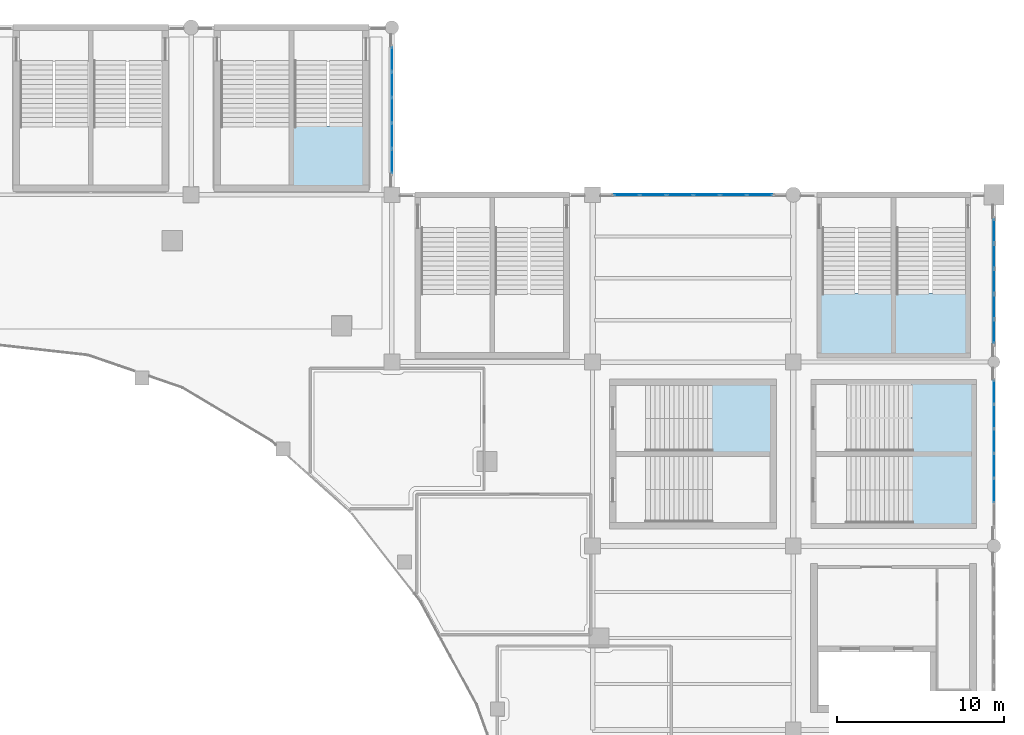
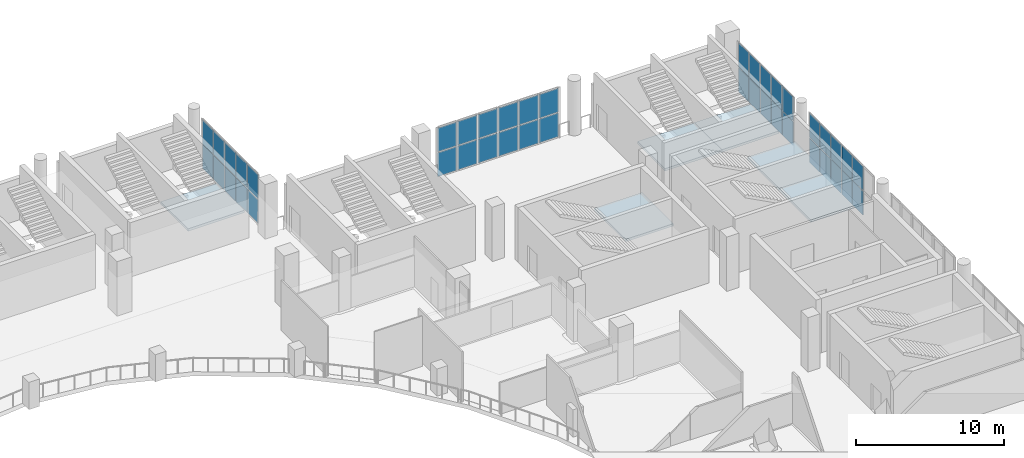
# One storey, part 58 of 90: 42 plates, 6 slabs, 10 elements without a shape of their own.
"""IFC4 building model written with IfcOpenShell, lengths in metres."""

from ifc_helpers import new_model, si_unit, direction, frame, origin, origin_2d, place, context, subcontext, project, spatial, polyline, rectangle, outline, extrude, material, layer, layer_set, type_object, element, aggregate, save


model = new_model("IFC4")

# Units and contexts
model_context = context("Model", 3, precision=1e-05, world=origin(), true_north=direction((0.0, 1.0)))
body_context = subcontext(model_context, "Body", "Model", "MODEL_VIEW")
ifc_project = project(units=[si_unit("LENGTHUNIT", "METRE"), si_unit("AREAUNIT", "SQUARE_METRE"), si_unit("VOLUMEUNIT", "CUBIC_METRE"), si_unit("PLANEANGLEUNIT", "RADIAN"), si_unit("MASSUNIT", "GRAM", prefix="KILO")], contexts=[model_context])

# Site, building, storey
site_placement = place(None, origin())
site = spatial("IfcSite", under=ifc_project, at=site_placement, CompositionType="ELEMENT")
building_placement = place(site_placement, origin())
building = spatial("IfcBuilding", under=site, at=building_placement, Name="Brinegate Civic Arena", CompositionType="ELEMENT")
storey_placement = place(building_placement, frame((0.0, 0.0, 14.699951171875)))
storey = spatial("IfcBuildingStorey", under=building, at=storey_placement, Name="L03", CompositionType="ELEMENT", Elevation=14.699951171875)

# Curtain wall, plates
ifc_material_1 = material(Name="Marine grade aluminium", Category="aluminium")
ifc_layer_1 = layer(ifc_material_1, 0.199951171875, Name="Marine grade aluminium")
ifc_layer_set_1 = layer_set([ifc_layer_1], Name="Marine grade aluminium")
curtain_wall_type_1 = type_object("IfcCurtainWallType", Name="CW-BOWL-GLAZED-01", PredefinedType="USERDEFINED", material=ifc_layer_set_1)
curtain_wall_1_placement = place(storey_placement, origin())
curtain_wall_1 = element("IfcCurtainWall", 1, at=curtain_wall_1_placement, inside=storey, type_object=curtain_wall_type_1, Name="Curtain Wall CWA-120", ObjectType="GLAZED CURTAIN WALL", PredefinedType="USERDEFINED")
ifc_material_2 = material(Name="Hurricane laminated low-E glass", Category="glass")
ifc_layer_2 = layer(ifc_material_2, 0.028076171875, Name="Hurricane laminated low-E glass")
ifc_layer_set_2 = layer_set([ifc_layer_2], Name="Hurricane laminated low-E glass")
plate_type_1 = type_object("IfcPlateType", Name="CW-PANEL-GLAZED-28", PredefinedType="CURTAIN_PANEL", material=ifc_layer_set_2)
plate_1_placement = place(storey_placement, frame((168.0, 96.32568359375, 0.065185546875), z_axis=(0.0, 0.0, 1.0), x_axis=(0.0, 1.0, 0.0)))
plate_1 = element("IfcPlate", 2, at=plate_1_placement, type_object=plate_type_1, Name="CWA-120 panel 2.1", PredefinedType="CURTAIN_PANEL", context=body_context, shape_type="SweptSolid", body=[
    extrude(rectangle(XDim=1.408203125, YDim=0.028076171875, at=origin_2d()), origin(), (0.0, 0.0, 1.0), 1.982421875),
])
plate_2_placement = place(storey_placement, frame((168.0, 96.32568359375, 2.112548828125), z_axis=(0.0, 0.0, 1.0), x_axis=(0.0, 1.0, 0.0)))
plate_2 = element("IfcPlate", 3, at=plate_2_placement, type_object=plate_type_1, Name="CWA-120 panel 2.2", PredefinedType="CURTAIN_PANEL", context=body_context, shape_type="SweptSolid", body=[
    extrude(rectangle(XDim=1.408203125, YDim=0.028076171875, at=origin_2d()), origin(), (0.0, 0.0, 1.0), 1.982421875),
])
plate_3_placement = place(storey_placement, frame((168.0, 97.798828125, 0.065185546875), z_axis=(0.0, 0.0, 1.0), x_axis=(0.0, 1.0, 0.0)))
plate_3 = element("IfcPlate", 4, at=plate_3_placement, type_object=plate_type_1, Name="CWA-120 panel 3.1", PredefinedType="CURTAIN_PANEL", context=body_context, shape_type="SweptSolid", body=[
    extrude(rectangle(XDim=1.408203125, YDim=0.028076171875, at=origin_2d()), origin(), (0.0, 0.0, 1.0), 1.982421875),
])
plate_4_placement = place(storey_placement, frame((168.0, 97.798828125, 2.112548828125), z_axis=(0.0, 0.0, 1.0), x_axis=(0.0, 1.0, 0.0)))
plate_4 = element("IfcPlate", 5, at=plate_4_placement, type_object=plate_type_1, Name="CWA-120 panel 3.2", PredefinedType="CURTAIN_PANEL", context=body_context, shape_type="SweptSolid", body=[
    extrude(rectangle(XDim=1.408203125, YDim=0.028076171875, at=origin_2d()), origin(), (0.0, 0.0, 1.0), 1.982421875),
])
plate_5_placement = place(storey_placement, frame((168.0, 99.27197265625, 0.065185546875), z_axis=(0.0, 0.0, 1.0), x_axis=(0.0, 1.0, 0.0)))
plate_5 = element("IfcPlate", 6, at=plate_5_placement, type_object=plate_type_1, Name="CWA-120 panel 4.1", PredefinedType="CURTAIN_PANEL", context=body_context, shape_type="SweptSolid", body=[
    extrude(rectangle(XDim=1.408203125, YDim=0.028076171875, at=origin_2d()), origin(), (0.0, 0.0, 1.0), 1.982421875),
])
plate_6_placement = place(storey_placement, frame((168.0, 99.27197265625, 2.112548828125), z_axis=(0.0, 0.0, 1.0), x_axis=(0.0, 1.0, 0.0)))
plate_6 = element("IfcPlate", 7, at=plate_6_placement, type_object=plate_type_1, Name="CWA-120 panel 4.2", PredefinedType="CURTAIN_PANEL", context=body_context, shape_type="SweptSolid", body=[
    extrude(rectangle(XDim=1.408203125, YDim=0.028076171875, at=origin_2d()), origin(), (0.0, 0.0, 1.0), 1.982421875),
])
plate_7_placement = place(storey_placement, frame((168.0, 100.745361328125, 0.065185546875), z_axis=(0.0, 0.0, 1.0), x_axis=(0.0, 1.0, 0.0)))
plate_7 = element("IfcPlate", 8, at=plate_7_placement, type_object=plate_type_1, Name="CWA-120 panel 5.1", PredefinedType="CURTAIN_PANEL", context=body_context, shape_type="SweptSolid", body=[
    extrude(rectangle(XDim=1.408203125, YDim=0.028076171875, at=origin_2d()), origin(), (0.0, 0.0, 1.0), 1.982421875),
])
plate_8_placement = place(storey_placement, frame((168.0, 100.745361328125, 2.112548828125), z_axis=(0.0, 0.0, 1.0), x_axis=(0.0, 1.0, 0.0)))
plate_8 = element("IfcPlate", 9, at=plate_8_placement, type_object=plate_type_1, Name="CWA-120 panel 5.2", PredefinedType="CURTAIN_PANEL", context=body_context, shape_type="SweptSolid", body=[
    extrude(rectangle(XDim=1.408203125, YDim=0.028076171875, at=origin_2d()), origin(), (0.0, 0.0, 1.0), 1.982421875),
])
plate_9_placement = place(storey_placement, frame((168.0, 102.2021484375, 0.065185546875), z_axis=(0.0, 0.0, 1.0), x_axis=(0.0, 1.0, 0.0)))
plate_9 = element("IfcPlate", 10, at=plate_9_placement, type_object=plate_type_1, Name="CWA-120 panel 6.1", PredefinedType="CURTAIN_PANEL", context=body_context, shape_type="SweptSolid", body=[
    extrude(rectangle(XDim=1.375732421875, YDim=0.028076171875, at=origin_2d()), origin(), (0.0, 0.0, 1.0), 1.982421875),
])
plate_10_placement = place(storey_placement, frame((168.0, 102.2021484375, 2.112548828125), z_axis=(0.0, 0.0, 1.0), x_axis=(0.0, 1.0, 0.0)))
plate_10 = element("IfcPlate", 11, at=plate_10_placement, type_object=plate_type_1, Name="CWA-120 panel 6.2", PredefinedType="CURTAIN_PANEL", context=body_context, shape_type="SweptSolid", body=[
    extrude(rectangle(XDim=1.375732421875, YDim=0.028076171875, at=origin_2d()), origin(), (0.0, 0.0, 1.0), 1.982421875),
])
aggregate(curtain_wall_1, [plate_1, plate_2, plate_3, plate_4, plate_5, plate_6, plate_7, plate_8, plate_9, plate_10])

ifc_layer_3 = layer(ifc_material_1, 0.235107421875, Name="Marine grade aluminium")
ifc_layer_set_3 = layer_set([ifc_layer_3], Name="Marine grade aluminium")
curtain_wall_type_2 = type_object("IfcCurtainWallType", Name="CW-PORTAL-NORTH-01", PredefinedType="USERDEFINED", material=ifc_layer_set_3)
curtain_wall_2_placement = place(storey_placement, origin())
curtain_wall_2 = element("IfcCurtainWall", 12, at=curtain_wall_2_placement, inside=storey, type_object=curtain_wall_type_2, Name="Curtain Wall CWA-129", ObjectType="PORTAL CURTAIN WALL", PredefinedType="USERDEFINED")
ifc_layer_4 = layer(ifc_material_2, 0.031982421875, Name="Hurricane laminated low-E glass")
ifc_layer_set_4 = layer_set([ifc_layer_4], Name="Hurricane laminated low-E glass")
plate_type_2 = type_object("IfcPlateType", Name="CW-PANEL-GLAZED-32", PredefinedType="CURTAIN_PANEL", material=ifc_layer_set_4)
plate_11_placement = place(storey_placement, frame((132.0, 116.00439453125, 0.0751953125), z_axis=(0.0, 0.0, 1.0), x_axis=(0.0, 1.0, 0.0)))
plate_11 = element("IfcPlate", 13, at=plate_11_placement, type_object=plate_type_2, Name="CWA-129 panel 1.1", PredefinedType="CURTAIN_PANEL", context=body_context, shape_type="SweptSolid", body=[
    extrude(rectangle(XDim=1.434814453125, YDim=0.031982421875, at=origin_2d()), origin(), (0.0, 0.0, 1.0), 1.967529296875),
])
plate_12_placement = place(storey_placement, frame((132.0, 116.00439453125, 2.11767578125), z_axis=(0.0, 0.0, 1.0), x_axis=(0.0, 1.0, 0.0)))
plate_12 = element("IfcPlate", 14, at=plate_12_placement, type_object=plate_type_2, Name="CWA-129 panel 1.2", PredefinedType="CURTAIN_PANEL", context=body_context, shape_type="SweptSolid", body=[
    extrude(rectangle(XDim=1.434814453125, YDim=0.031982421875, at=origin_2d()), origin(), (0.0, 0.0, 1.0), 1.967529296875),
])
plate_13_placement = place(storey_placement, frame((132.0, 117.5205078125, 0.0751953125), z_axis=(0.0, 0.0, 1.0), x_axis=(0.0, 1.0, 0.0)))
plate_13 = element("IfcPlate", 15, at=plate_13_placement, type_object=plate_type_2, Name="CWA-129 panel 2.1", PredefinedType="CURTAIN_PANEL", context=body_context, shape_type="SweptSolid", body=[
    extrude(rectangle(XDim=1.46728515625, YDim=0.031982421875, at=origin_2d()), origin(), (0.0, 0.0, 1.0), 1.967529296875),
])
plate_14_placement = place(storey_placement, frame((132.0, 117.5205078125, 2.11767578125), z_axis=(0.0, 0.0, 1.0), x_axis=(0.0, 1.0, 0.0)))
plate_14 = element("IfcPlate", 16, at=plate_14_placement, type_object=plate_type_2, Name="CWA-129 panel 2.2", PredefinedType="CURTAIN_PANEL", context=body_context, shape_type="SweptSolid", body=[
    extrude(rectangle(XDim=1.46728515625, YDim=0.031982421875, at=origin_2d()), origin(), (0.0, 0.0, 1.0), 1.967529296875),
])
plate_15_placement = place(storey_placement, frame((132.0, 119.052978515625, 0.0751953125), z_axis=(0.0, 0.0, 1.0), x_axis=(0.0, 1.0, 0.0)))
plate_15 = element("IfcPlate", 17, at=plate_15_placement, type_object=plate_type_2, Name="CWA-129 panel 3.1", PredefinedType="CURTAIN_PANEL", context=body_context, shape_type="SweptSolid", body=[
    extrude(rectangle(XDim=1.46728515625, YDim=0.031982421875, at=origin_2d()), origin(), (0.0, 0.0, 1.0), 1.967529296875),
])
plate_16_placement = place(storey_placement, frame((132.0, 119.052978515625, 2.11767578125), z_axis=(0.0, 0.0, 1.0), x_axis=(0.0, 1.0, 0.0)))
plate_16 = element("IfcPlate", 18, at=plate_16_placement, type_object=plate_type_2, Name="CWA-129 panel 3.2", PredefinedType="CURTAIN_PANEL", context=body_context, shape_type="SweptSolid", body=[
    extrude(rectangle(XDim=1.46728515625, YDim=0.031982421875, at=origin_2d()), origin(), (0.0, 0.0, 1.0), 1.967529296875),
])
plate_17_placement = place(storey_placement, frame((132.0, 120.58544921875, 0.0751953125), z_axis=(0.0, 0.0, 1.0), x_axis=(0.0, 1.0, 0.0)))
plate_17 = element("IfcPlate", 19, at=plate_17_placement, type_object=plate_type_2, Name="CWA-129 panel 4.1", PredefinedType="CURTAIN_PANEL", context=body_context, shape_type="SweptSolid", body=[
    extrude(rectangle(XDim=1.46728515625, YDim=0.031982421875, at=origin_2d()), origin(), (0.0, 0.0, 1.0), 1.967529296875),
])
plate_18_placement = place(storey_placement, frame((132.0, 120.58544921875, 2.11767578125), z_axis=(0.0, 0.0, 1.0), x_axis=(0.0, 1.0, 0.0)))
plate_18 = element("IfcPlate", 20, at=plate_18_placement, type_object=plate_type_2, Name="CWA-129 panel 4.2", PredefinedType="CURTAIN_PANEL", context=body_context, shape_type="SweptSolid", body=[
    extrude(rectangle(XDim=1.46728515625, YDim=0.031982421875, at=origin_2d()), origin(), (0.0, 0.0, 1.0), 1.967529296875),
])
plate_19_placement = place(storey_placement, frame((132.0, 122.1015625, 0.0751953125), z_axis=(0.0, 0.0, 1.0), x_axis=(0.0, 1.0, 0.0)))
plate_19 = element("IfcPlate", 21, at=plate_19_placement, type_object=plate_type_2, Name="CWA-129 panel 5.1", PredefinedType="CURTAIN_PANEL", context=body_context, shape_type="SweptSolid", body=[
    extrude(rectangle(XDim=1.434814453125, YDim=0.031982421875, at=origin_2d()), origin(), (0.0, 0.0, 1.0), 1.967529296875),
])
plate_20_placement = place(storey_placement, frame((132.0, 122.1015625, 2.11767578125), z_axis=(0.0, 0.0, 1.0), x_axis=(0.0, 1.0, 0.0)))
plate_20 = element("IfcPlate", 22, at=plate_20_placement, type_object=plate_type_2, Name="CWA-129 panel 5.2", PredefinedType="CURTAIN_PANEL", context=body_context, shape_type="SweptSolid", body=[
    extrude(rectangle(XDim=1.434814453125, YDim=0.031982421875, at=origin_2d()), origin(), (0.0, 0.0, 1.0), 1.967529296875),
])
aggregate(curtain_wall_2, [plate_11, plate_12, plate_13, plate_14, plate_15, plate_16, plate_17, plate_18, plate_19, plate_20])

curtain_wall_3_placement = place(storey_placement, origin())
curtain_wall_3 = element("IfcCurtainWall", 23, at=curtain_wall_3_placement, inside=storey, type_object=curtain_wall_type_1, Name="Curtain Wall CWA-122", ObjectType="GLAZED CURTAIN WALL", PredefinedType="USERDEFINED")
ifc_layer_5 = layer(ifc_material_2, 0.035888671875, Name="Hurricane laminated low-E glass")
ifc_layer_set_5 = layer_set([ifc_layer_5], Name="Hurricane laminated low-E glass")
plate_type_3 = type_object("IfcPlateType", Name="CW-PANEL-GLAZED-36", PredefinedType="CURTAIN_PANEL", material=ifc_layer_set_5)
plate_21_placement = place(storey_placement, frame((168.0, 105.8193359375, 0.065185546875), z_axis=(0.0, 0.0, 1.0), x_axis=(0.0, 1.0, 0.0)))
plate_21 = element("IfcPlate", 24, at=plate_21_placement, type_object=plate_type_3, Name="CWA-122 panel 1.1", PredefinedType="CURTAIN_PANEL", context=body_context, shape_type="SweptSolid", body=[
    extrude(rectangle(XDim=1.398681640625, YDim=0.035888671875, at=origin_2d()), origin(), (0.0, 0.0, 1.0), 1.982421875),
])
plate_22_placement = place(storey_placement, frame((168.0, 105.8193359375, 2.112548828125), z_axis=(0.0, 0.0, 1.0), x_axis=(0.0, 1.0, 0.0)))
plate_22 = element("IfcPlate", 25, at=plate_22_placement, type_object=plate_type_3, Name="CWA-122 panel 1.2", PredefinedType="CURTAIN_PANEL", context=body_context, shape_type="SweptSolid", body=[
    extrude(rectangle(XDim=1.398681640625, YDim=0.035888671875, at=origin_2d()), origin(), (0.0, 0.0, 1.0), 1.982421875),
])
plate_23_placement = place(storey_placement, frame((168.0, 107.311767578125, 0.065185546875), z_axis=(0.0, 0.0, 1.0), x_axis=(0.0, 1.0, 0.0)))
plate_23 = element("IfcPlate", 26, at=plate_23_placement, type_object=plate_type_3, Name="CWA-122 panel 2.1", PredefinedType="CURTAIN_PANEL", context=body_context, shape_type="SweptSolid", body=[
    extrude(rectangle(XDim=1.436279296875, YDim=0.035888671875, at=origin_2d()), origin(), (0.0, 0.0, 1.0), 1.982421875),
])
plate_24_placement = place(storey_placement, frame((168.0, 107.311767578125, 2.112548828125), z_axis=(0.0, 0.0, 1.0), x_axis=(0.0, 1.0, 0.0)))
plate_24 = element("IfcPlate", 27, at=plate_24_placement, type_object=plate_type_3, Name="CWA-122 panel 2.2", PredefinedType="CURTAIN_PANEL", context=body_context, shape_type="SweptSolid", body=[
    extrude(rectangle(XDim=1.436279296875, YDim=0.035888671875, at=origin_2d()), origin(), (0.0, 0.0, 1.0), 1.982421875),
])
plate_25_placement = place(storey_placement, frame((168.0, 108.822998046875, 0.065185546875), z_axis=(0.0, 0.0, 1.0), x_axis=(0.0, 1.0, 0.0)))
plate_25 = element("IfcPlate", 28, at=plate_25_placement, type_object=plate_type_3, Name="CWA-122 panel 3.1", PredefinedType="CURTAIN_PANEL", context=body_context, shape_type="SweptSolid", body=[
    extrude(rectangle(XDim=1.436279296875, YDim=0.035888671875, at=origin_2d()), origin(), (0.0, 0.0, 1.0), 1.982421875),
])
plate_26_placement = place(storey_placement, frame((168.0, 108.822998046875, 2.112548828125), z_axis=(0.0, 0.0, 1.0), x_axis=(0.0, 1.0, 0.0)))
plate_26 = element("IfcPlate", 29, at=plate_26_placement, type_object=plate_type_3, Name="CWA-122 panel 3.2", PredefinedType="CURTAIN_PANEL", context=body_context, shape_type="SweptSolid", body=[
    extrude(rectangle(XDim=1.436279296875, YDim=0.035888671875, at=origin_2d()), origin(), (0.0, 0.0, 1.0), 1.982421875),
])
plate_27_placement = place(storey_placement, frame((168.0, 110.334228515625, 0.065185546875), z_axis=(0.0, 0.0, 1.0), x_axis=(0.0, 1.0, 0.0)))
plate_27 = element("IfcPlate", 30, at=plate_27_placement, type_object=plate_type_3, Name="CWA-122 panel 4.1", PredefinedType="CURTAIN_PANEL", context=body_context, shape_type="SweptSolid", body=[
    extrude(rectangle(XDim=1.436279296875, YDim=0.035888671875, at=origin_2d()), origin(), (0.0, 0.0, 1.0), 1.982421875),
])
plate_28_placement = place(storey_placement, frame((168.0, 110.334228515625, 2.112548828125), z_axis=(0.0, 0.0, 1.0), x_axis=(0.0, 1.0, 0.0)))
plate_28 = element("IfcPlate", 31, at=plate_28_placement, type_object=plate_type_3, Name="CWA-122 panel 4.2", PredefinedType="CURTAIN_PANEL", context=body_context, shape_type="SweptSolid", body=[
    extrude(rectangle(XDim=1.436279296875, YDim=0.035888671875, at=origin_2d()), origin(), (0.0, 0.0, 1.0), 1.982421875),
])
plate_29_placement = place(storey_placement, frame((168.0, 111.82666015625, 0.065185546875), z_axis=(0.0, 0.0, 1.0), x_axis=(0.0, 1.0, 0.0)))
plate_29 = element("IfcPlate", 32, at=plate_29_placement, type_object=plate_type_3, Name="CWA-122 panel 5.1", PredefinedType="CURTAIN_PANEL", context=body_context, shape_type="SweptSolid", body=[
    extrude(rectangle(XDim=1.398681640625, YDim=0.035888671875, at=origin_2d()), origin(), (0.0, 0.0, 1.0), 1.982421875),
])
plate_30_placement = place(storey_placement, frame((168.0, 111.82666015625, 2.112548828125), z_axis=(0.0, 0.0, 1.0), x_axis=(0.0, 1.0, 0.0)))
plate_30 = element("IfcPlate", 33, at=plate_30_placement, type_object=plate_type_3, Name="CWA-122 panel 5.2", PredefinedType="CURTAIN_PANEL", context=body_context, shape_type="SweptSolid", body=[
    extrude(rectangle(XDim=1.398681640625, YDim=0.035888671875, at=origin_2d()), origin(), (0.0, 0.0, 1.0), 1.982421875),
])
aggregate(curtain_wall_3, [plate_21, plate_22, plate_23, plate_24, plate_25, plate_26, plate_27, plate_28, plate_29, plate_30])

curtain_wall_4_placement = place(storey_placement, origin())
curtain_wall_4 = element("IfcCurtainWall", 34, at=curtain_wall_4_placement, inside=storey, type_object=curtain_wall_type_1, Name="Curtain Wall CWA-132", ObjectType="GLAZED CURTAIN WALL", PredefinedType="USERDEFINED")
plate_31_placement = place(storey_placement, frame((146.0400390625, 114.0, 0.0751953125), z_axis=(0.0, 0.0, 1.0), x_axis=(1.0, 0.0, 0.0)))
plate_31 = element("IfcPlate", 35, at=plate_31_placement, type_object=plate_type_3, Name="CWA-132 panel 1.1", PredefinedType="CURTAIN_PANEL", context=body_context, shape_type="SweptSolid", body=[
    extrude(rectangle(XDim=1.486083984375, YDim=0.035888671875, at=origin_2d()), origin(), (0.0, 0.0, 1.0), 1.967529296875),
])
plate_32_placement = place(storey_placement, frame((146.0400390625, 114.0, 2.11767578125), z_axis=(0.0, 0.0, 1.0), x_axis=(1.0, 0.0, 0.0)))
plate_32 = element("IfcPlate", 36, at=plate_32_placement, type_object=plate_type_3, Name="CWA-132 panel 1.2", PredefinedType="CURTAIN_PANEL", context=body_context, shape_type="SweptSolid", body=[
    extrude(rectangle(XDim=1.486083984375, YDim=0.035888671875, at=origin_2d()), origin(), (0.0, 0.0, 1.0), 1.967529296875),
])
plate_33_placement = place(storey_placement, frame((147.6201171875, 114.0, 0.0751953125), z_axis=(0.0, 0.0, 1.0), x_axis=(1.0, 0.0, 0.0)))
plate_33 = element("IfcPlate", 37, at=plate_33_placement, type_object=plate_type_3, Name="CWA-132 panel 2.1", PredefinedType="CURTAIN_PANEL", context=body_context, shape_type="SweptSolid", body=[
    extrude(rectangle(XDim=1.523681640625, YDim=0.035888671875, at=origin_2d()), origin(), (0.0, 0.0, 1.0), 1.967529296875),
])
plate_34_placement = place(storey_placement, frame((147.6201171875, 114.0, 2.11767578125), z_axis=(0.0, 0.0, 1.0), x_axis=(1.0, 0.0, 0.0)))
plate_34 = element("IfcPlate", 38, at=plate_34_placement, type_object=plate_type_3, Name="CWA-132 panel 2.2", PredefinedType="CURTAIN_PANEL", context=body_context, shape_type="SweptSolid", body=[
    extrude(rectangle(XDim=1.523681640625, YDim=0.035888671875, at=origin_2d()), origin(), (0.0, 0.0, 1.0), 1.967529296875),
])
plate_35_placement = place(storey_placement, frame((149.21875, 114.0, 0.0751953125), z_axis=(0.0, 0.0, 1.0), x_axis=(1.0, 0.0, 0.0)))
plate_35 = element("IfcPlate", 39, at=plate_35_placement, type_object=plate_type_3, Name="CWA-132 panel 3.1", PredefinedType="CURTAIN_PANEL", context=body_context, shape_type="SweptSolid", body=[
    extrude(rectangle(XDim=1.523681640625, YDim=0.035888671875, at=origin_2d()), origin(), (0.0, 0.0, 1.0), 1.967529296875),
])
plate_36_placement = place(storey_placement, frame((149.21875, 114.0, 2.11767578125), z_axis=(0.0, 0.0, 1.0), x_axis=(1.0, 0.0, 0.0)))
plate_36 = element("IfcPlate", 40, at=plate_36_placement, type_object=plate_type_3, Name="CWA-132 panel 3.2", PredefinedType="CURTAIN_PANEL", context=body_context, shape_type="SweptSolid", body=[
    extrude(rectangle(XDim=1.523681640625, YDim=0.035888671875, at=origin_2d()), origin(), (0.0, 0.0, 1.0), 1.967529296875),
])
plate_37_placement = place(storey_placement, frame((150.8173828125, 114.0, 0.0751953125), z_axis=(0.0, 0.0, 1.0), x_axis=(1.0, 0.0, 0.0)))
plate_37 = element("IfcPlate", 41, at=plate_37_placement, type_object=plate_type_3, Name="CWA-132 panel 4.1", PredefinedType="CURTAIN_PANEL", context=body_context, shape_type="SweptSolid", body=[
    extrude(rectangle(XDim=1.523681640625, YDim=0.035888671875, at=origin_2d()), origin(), (0.0, 0.0, 1.0), 1.967529296875),
])
plate_38_placement = place(storey_placement, frame((150.8173828125, 114.0, 2.11767578125), z_axis=(0.0, 0.0, 1.0), x_axis=(1.0, 0.0, 0.0)))
plate_38 = element("IfcPlate", 42, at=plate_38_placement, type_object=plate_type_3, Name="CWA-132 panel 4.2", PredefinedType="CURTAIN_PANEL", context=body_context, shape_type="SweptSolid", body=[
    extrude(rectangle(XDim=1.523681640625, YDim=0.035888671875, at=origin_2d()), origin(), (0.0, 0.0, 1.0), 1.967529296875),
])
plate_39_placement = place(storey_placement, frame((152.416015625, 114.0, 0.0751953125), z_axis=(0.0, 0.0, 1.0), x_axis=(1.0, 0.0, 0.0)))
plate_39 = element("IfcPlate", 43, at=plate_39_placement, type_object=plate_type_3, Name="CWA-132 panel 5.1", PredefinedType="CURTAIN_PANEL", context=body_context, shape_type="SweptSolid", body=[
    extrude(rectangle(XDim=1.523681640625, YDim=0.035888671875, at=origin_2d()), origin(), (0.0, 0.0, 1.0), 1.967529296875),
])
plate_40_placement = place(storey_placement, frame((152.416015625, 114.0, 2.11767578125), z_axis=(0.0, 0.0, 1.0), x_axis=(1.0, 0.0, 0.0)))
plate_40 = element("IfcPlate", 44, at=plate_40_placement, type_object=plate_type_3, Name="CWA-132 panel 5.2", PredefinedType="CURTAIN_PANEL", context=body_context, shape_type="SweptSolid", body=[
    extrude(rectangle(XDim=1.523681640625, YDim=0.035888671875, at=origin_2d()), origin(), (0.0, 0.0, 1.0), 1.967529296875),
])
plate_41_placement = place(storey_placement, frame((153.995849609375, 114.0, 0.0751953125), z_axis=(0.0, 0.0, 1.0), x_axis=(1.0, 0.0, 0.0)))
plate_41 = element("IfcPlate", 45, at=plate_41_placement, type_object=plate_type_3, Name="CWA-132 panel 6.1", PredefinedType="CURTAIN_PANEL", context=body_context, shape_type="SweptSolid", body=[
    extrude(rectangle(XDim=1.486083984375, YDim=0.035888671875, at=origin_2d()), origin(), (0.0, 0.0, 1.0), 1.967529296875),
])
plate_42_placement = place(storey_placement, frame((153.995849609375, 114.0, 2.11767578125), z_axis=(0.0, 0.0, 1.0), x_axis=(1.0, 0.0, 0.0)))
plate_42 = element("IfcPlate", 46, at=plate_42_placement, type_object=plate_type_3, Name="CWA-132 panel 6.2", PredefinedType="CURTAIN_PANEL", context=body_context, shape_type="SweptSolid", body=[
    extrude(rectangle(XDim=1.486083984375, YDim=0.035888671875, at=origin_2d()), origin(), (0.0, 0.0, 1.0), 1.967529296875),
])
aggregate(curtain_wall_4, [plate_31, plate_32, plate_33, plate_34, plate_35, plate_36, plate_37, plate_38, plate_39, plate_40, plate_41, plate_42])

# Stair, slab
ifc_material_3 = material(Name="Concrete C40/50", Category="concrete")
stair_type_1 = type_object("IfcStairType", Name="STAIR-EXIT-3700", PredefinedType="HALF_TURN_STAIR", material=ifc_material_3)
stair_1_placement = place(storey_placement, origin())
stair_1 = element("IfcStair", 47, at=stair_1_placement, inside=storey, type_object=stair_type_1, Name="Protected Exit Stair ST-03B (L03)", PredefinedType="HALF_TURN_STAIR")
ifc_layer_6 = layer(ifc_material_3, 0.199951171875, Name="Concrete C40/50")
ifc_layer_set_6 = layer_set([ifc_layer_6], Name="Concrete C40/50")
slab_type = type_object("IfcSlabType", Name="SLAB-LANDING-200", PredefinedType="LANDING", material=ifc_layer_set_6)
slab_1_placement = place(storey_placement, frame((0.0, 0.0, 2.050048828125)))
slab_1 = element("IfcSlab", 48, at=slab_1_placement, type_object=slab_type, Name="ST-03B landing 1", PredefinedType="LANDING", context=body_context, shape_type="SweptSolid", body=[
    extrude(outline(polyline([(125.9951171875, 114.39990234375), (130.405029296875, 114.39990234375), (130.405029296875, 118.1201171875), (125.9951171875, 118.1201171875), (125.9951171875, 114.39990234375)])), origin(), (0.0, 0.0, 1.0), 0.199951171875),
])
aggregate(stair_1, [slab_1])

stair_type_2 = type_object("IfcStairType", Name="STAIR-EXIT-3850", PredefinedType="HALF_TURN_STAIR", material=ifc_material_3)
stair_2_placement = place(storey_placement, origin())
stair_2 = element("IfcStair", 49, at=stair_2_placement, inside=storey, type_object=stair_type_2, Name="Protected Exit Stair ST-05A (L03)", PredefinedType="HALF_TURN_STAIR")
slab_2_placement = place(storey_placement, frame((0.0, 0.0, 2.050048828125)))
slab_2 = element("IfcSlab", 50, at=slab_2_placement, type_object=slab_type, Name="ST-05A landing 1", PredefinedType="LANDING", context=body_context, shape_type="SweptSolid", body=[
    extrude(outline(polyline([(157.544921875, 104.39990234375), (162.0048828125, 104.39990234375), (162.0048828125, 108.1201171875), (157.544921875, 108.1201171875), (157.544921875, 104.39990234375)])), origin(), (0.0, 0.0, 1.0), 0.199951171875),
])
aggregate(stair_2, [slab_2])

stair_3_placement = place(storey_placement, origin())
stair_3 = element("IfcStair", 51, at=stair_3_placement, inside=storey, type_object=stair_type_1, Name="Protected Exit Stair ST-05B (L03)", PredefinedType="HALF_TURN_STAIR")
slab_3_placement = place(storey_placement, frame((0.0, 0.0, 2.050048828125)))
slab_3 = element("IfcSlab", 52, at=slab_3_placement, type_object=slab_type, Name="ST-05B landing 1", PredefinedType="LANDING", context=body_context, shape_type="SweptSolid", body=[
    extrude(outline(polyline([(161.9951171875, 104.39990234375), (166.455078125, 104.39990234375), (166.455078125, 108.1201171875), (161.9951171875, 108.1201171875), (161.9951171875, 104.39990234375)])), origin(), (0.0, 0.0, 1.0), 0.199951171875),
])
aggregate(stair_3, [slab_3])

stair_4_placement = place(storey_placement, origin())
stair_4 = element("IfcStair", 53, at=stair_4_placement, inside=storey, type_object=stair_type_1, Name="Protected Exit Stair ST-18B (L03)", PredefinedType="HALF_TURN_STAIR")
slab_4_placement = place(storey_placement, frame((0.0, 0.0, 2.050048828125)))
slab_4 = element("IfcSlab", 54, at=slab_4_placement, type_object=slab_type, Name="ST-18B landing 1", PredefinedType="LANDING", context=body_context, shape_type="SweptSolid", body=[
    extrude(outline(polyline([(151.080078125, 98.4951171875), (154.800048828125, 98.4951171875), (154.800048828125, 102.7548828125), (151.080078125, 102.7548828125), (151.080078125, 98.4951171875)])), origin(), (0.0, 0.0, 1.0), 0.199951171875),
])
aggregate(stair_4, [slab_4])

stair_5_placement = place(storey_placement, origin())
stair_5 = element("IfcStair", 55, at=stair_5_placement, inside=storey, type_object=stair_type_2, Name="Protected Exit Stair ST-20A (L03)", PredefinedType="HALF_TURN_STAIR")
slab_5_placement = place(storey_placement, frame((0.0, 0.0, 2.050048828125)))
slab_5 = element("IfcSlab", 56, at=slab_5_placement, type_object=slab_type, Name="ST-20A landing 1", PredefinedType="LANDING", context=body_context, shape_type="SweptSolid", body=[
    extrude(outline(polyline([(163.080078125, 94.195068359375), (166.800048828125, 94.195068359375), (166.800048828125, 98.5048828125), (163.080078125, 98.5048828125), (163.080078125, 94.195068359375)])), origin(), (0.0, 0.0, 1.0), 0.199951171875),
])
aggregate(stair_5, [slab_5])

stair_6_placement = place(storey_placement, origin())
stair_6 = element("IfcStair", 57, at=stair_6_placement, inside=storey, type_object=stair_type_1, Name="Protected Exit Stair ST-20B (L03)", PredefinedType="HALF_TURN_STAIR")
slab_6_placement = place(storey_placement, frame((0.0, 0.0, 2.050048828125)))
slab_6 = element("IfcSlab", 58, at=slab_6_placement, type_object=slab_type, Name="ST-20B landing 1", PredefinedType="LANDING", context=body_context, shape_type="SweptSolid", body=[
    extrude(outline(polyline([(163.080078125, 98.4951171875), (166.800048828125, 98.4951171875), (166.800048828125, 102.804931640625), (163.080078125, 102.804931640625), (163.080078125, 98.4951171875)])), origin(), (0.0, 0.0, 1.0), 0.199951171875),
])
aggregate(stair_6, [slab_6])

save(model, "model.ifc")
